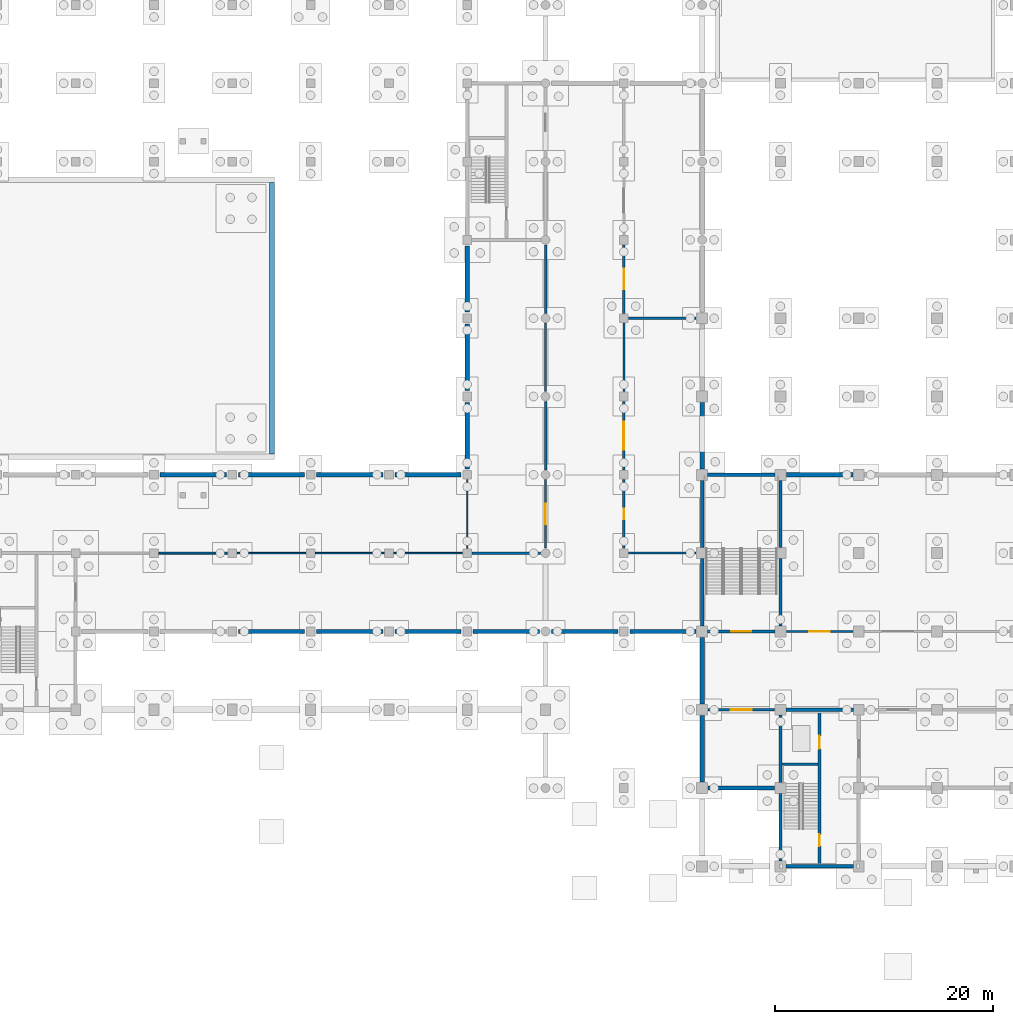
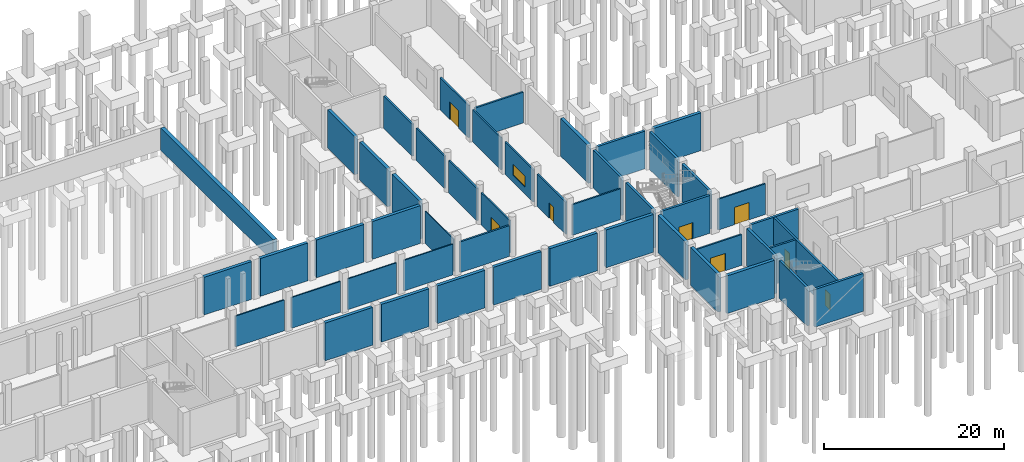
# One storey, part 20 of 35: 49 walls, 8 doors, 1 window, 9 openings.
"""IFC4 building model written with IfcOpenShell, lengths in metres."""

from ifc_helpers import new_model, si_unit, direction, frame, frame_2d, origin, place, context, subcontext, project, spatial, rectangle, extrude, material, layer, layer_set, type_object, element, fill, save


model = new_model("IFC4")

# Units and contexts
model_context = context("Model", 3, precision=1e-05, world=origin(), true_north=direction((0.0, 1.0)))
body_context = subcontext(model_context, "Body", "Model", "MODEL_VIEW")
ifc_project = project(units=[si_unit("LENGTHUNIT", "METRE"), si_unit("AREAUNIT", "SQUARE_METRE"), si_unit("VOLUMEUNIT", "CUBIC_METRE"), si_unit("PLANEANGLEUNIT", "RADIAN"), si_unit("MASSUNIT", "GRAM", prefix="KILO")], contexts=[model_context])

# Site, building, storey
site_placement = place(None, origin())
site = spatial("IfcSite", under=ifc_project, at=site_placement, CompositionType="ELEMENT")
building_placement = place(site_placement, origin())
building = spatial("IfcBuilding", under=site, at=building_placement, Name="Vesperath Aquatics Centre", CompositionType="ELEMENT")
storey_placement = place(building_placement, frame((0.0, 0.0, -5.39990234375)))
storey = spatial("IfcBuildingStorey", under=building, at=storey_placement, Name="B1", CompositionType="ELEMENT", Elevation=-5.39990234375)

# Walls
ifc_material_1 = material(Name="Autoclaved aerated masonry blockwork", Category="masonry")
ifc_layer_1 = layer(ifc_material_1, 0.22998046875)
ifc_layer_set_1 = layer_set([ifc_layer_1], Name="Autoclaved aerated masonry blockwork")
wall_type_1 = type_object("IfcWallType", Name="WL-FW01", PredefinedType="SOLIDWALL", material=ifc_layer_set_1)
wall_1_placement = place(storey_placement, frame((94.050048828125, 28.800048828125, 0.0), z_axis=(0.0, 0.0, 1.0), x_axis=(1.0, 0.0, 0.0)))
element("IfcWall", 1, at=wall_1_placement, inside=storey, type_object=wall_type_1, Name="Interior Partition FW01 B1_DHU_1-S1", PredefinedType="SOLIDWALL", context=body_context, shape_type="SweptSolid", body=[
    extrude(rectangle(XDim=6.300048828125, YDim=0.22998046875, at=frame_2d((3.14990234375, 0.0))), origin(), (0.0, 0.0, 1.0), 4.169921875),
])
wall_2_placement = place(storey_placement, frame((100.800048828125, 36.449951171875, 0.0), z_axis=(0.0, 0.0, 1.0), x_axis=(0.0, 1.0, 0.0)))
element("IfcWall", 2, at=wall_2_placement, inside=storey, type_object=wall_type_1, Name="Interior Partition FW01 B1_DHU_1-E2", PredefinedType="SOLIDWALL", context=body_context, shape_type="SweptSolid", body=[
    extrude(rectangle(XDim=6.300048828125, YDim=0.22998046875, at=frame_2d((3.14990234375, 0.0))), origin(), (0.0, 0.0, 1.0), 4.369873046875),
])
wall_3_placement = place(storey_placement, frame((100.800048828125, 50.85009765625, 0.0), z_axis=(0.0, 0.0, 1.0), x_axis=(0.0, 1.0, 0.0)))
element("IfcWall", 3, at=wall_3_placement, inside=storey, type_object=wall_type_1, Name="Interior Partition FW01 B1_DHU_1-E4", PredefinedType="SOLIDWALL", context=body_context, shape_type="SweptSolid", body=[
    extrude(rectangle(XDim=6.2998046875, YDim=0.22998046875, at=frame_2d((3.14990234375, 0.0))), origin(), (0.0, 0.0, 1.0), 4.369873046875),
])
wall_4_placement = place(storey_placement, frame((108.449951171875, 50.39990234375, 0.0), z_axis=(0.0, 0.0, 1.0), x_axis=(1.0, 0.0, 0.0)))
element("IfcWall", 4, at=wall_4_placement, inside=storey, type_object=wall_type_1, Name="Interior Partition FW01 B1_BMS-N1", PredefinedType="SOLIDWALL", context=body_context, shape_type="SweptSolid", body=[
    extrude(rectangle(XDim=6.199951171875, YDim=0.22998046875, at=frame_2d((3.10009765625, 0.0))), origin(), (0.0, 0.0, 1.0), 4.169921875),
])

# Wall, opening, door
wall_5_placement = place(storey_placement, frame((108.0, 50.85009765625, 0.0), z_axis=(0.0, 0.0, 1.0), x_axis=(0.0, 1.0, 0.0)))
wall_5 = element("IfcWall", 5, at=wall_5_placement, inside=storey, type_object=wall_type_1, Name="Interior Partition FW01 B1_GEN-W1", PredefinedType="SOLIDWALL", context=body_context, shape_type="SweptSolid", body=[
    extrude(rectangle(XDim=6.2998046875, YDim=0.22998046875, at=frame_2d((3.14990234375, 0.0))), origin(), (0.0, 0.0, 1.0), 4.369873046875),
])
opening_1_placement = place(wall_5_placement, frame((2.199951171875, 0.0, 0.0)))
opening_1 = element("IfcOpeningElement", 6, at=opening_1_placement, cuts=wall_5, Name="Opening D05", PredefinedType="OPENING", context=body_context, shape_type="SweptSolid", body=[
    extrude(rectangle(XDim=1.89990234375, YDim=2.35009765625, at=frame_2d((0.949951171875, 1.175048828125))), frame((0.0, 0.1298828125, 0.0), z_axis=(0.0, -1.0, 0.0), x_axis=(1.0, 0.0, 0.0)), (0.0, 0.0, 1.0), 0.259765625),
])
ifc_material_2 = material(Name="Plant equipment double fire door", Category="steel")
door_type_1 = type_object("IfcDoorType", Name="DR-FD05", OperationType="DOUBLE_SWING_LEFT", PredefinedType="DOOR", material=ifc_material_2)
door_1_placement = place(opening_1_placement, frame((1.89990234375, 0.0, 0.0), z_axis=(0.0, 0.0, 1.0), x_axis=(-1.0, 0.0, 0.0)))
door_1 = element("IfcDoor", 7, at=door_1_placement, inside=storey, type_object=door_type_1, Name="Emergency Standby Generator Room Door D05", OperationType="DOUBLE_SWING_LEFT", OverallHeight=2.35009765625, OverallWidth=1.89990234375, PredefinedType="DOOR", context=body_context, shape_type="SweptSolid", body=[
    extrude(rectangle(XDim=1.89990234375, YDim=2.35009765625, at=frame_2d((0.949951171875, 1.175048828125))), frame((0.0, 0.02490234375, 0.0), z_axis=(0.0, -1.0, 0.0), x_axis=(1.0, 0.0, 0.0)), (0.0, 0.0, 1.0), 0.050048828125),
])
fill(opening_1, door_1)

ifc_material_3 = material(Name="Masonry fire compartment wall", Category="masonry")
ifc_layer_2 = layer(ifc_material_3, 0.219970703125)
ifc_layer_set_2 = layer_set([ifc_layer_2], Name="Masonry fire compartment wall")
wall_type_2 = type_object("IfcWallType", Name="WL-FW02", PredefinedType="SOLIDWALL", material=ifc_layer_set_2)
wall_6_placement = place(storey_placement, frame((108.0, 29.25, 0.0), z_axis=(0.0, 0.0, 1.0), x_axis=(0.0, 1.0, 0.0)))
wall_6 = element("IfcWall", 8, at=wall_6_placement, inside=storey, type_object=wall_type_2, Name="Interior Partition FW02 B1_BMS-W1", PredefinedType="SOLIDWALL", context=body_context, shape_type="SweptSolid", body=[
    extrude(rectangle(XDim=6.300048828125, YDim=0.219970703125, at=frame_2d((3.14990234375, 0.0))), origin(), (0.0, 0.0, 1.0), 4.369873046875),
])
opening_2_placement = place(wall_6_placement, frame((2.64990234375, 0.0, 0.0)))
opening_2 = element("IfcOpeningElement", 9, at=opening_2_placement, cuts=wall_6, Name="Opening D06", PredefinedType="OPENING", context=body_context, shape_type="SweptSolid", body=[
    extrude(rectangle(XDim=1.0, YDim=2.10009765625, at=frame_2d((0.5, 1.050048828125))), frame((0.0, 0.125, 0.0), z_axis=(0.0, -1.0, 0.0), x_axis=(1.0, 0.0, 0.0)), (0.0, 0.0, 1.0), 0.249755859375),
])
ifc_material_4 = material(Name="Moisture-resistant HPL accessible toilet door", Category="wood")
door_type_2 = type_object("IfcDoorType", Name="DR-WC01", OperationType="NOTDEFINED", PredefinedType="DOOR", material=ifc_material_4)
door_2_placement = place(opening_2_placement, frame((1.0, 0.0, 0.0), z_axis=(0.0, 0.0, 1.0), x_axis=(-1.0, 0.0, 0.0)))
door_2 = element("IfcDoor", 10, at=door_2_placement, inside=storey, type_object=door_type_2, Name="Building Automation and Metering Control Room Door D06", OperationType="SINGLE_SWING_LEFT", OverallHeight=2.10009765625, OverallWidth=1.0, PredefinedType="DOOR", context=body_context, shape_type="SweptSolid", body=[
    extrude(rectangle(XDim=1.0, YDim=2.10009765625, at=frame_2d((0.5, 1.050048828125))), frame((0.0, 0.02490234375, 0.0), z_axis=(0.0, -1.0, 0.0), x_axis=(1.0, 0.0, 0.0)), (0.0, 0.0, 1.0), 0.050048828125),
])
fill(opening_2, door_2)

# Wall, opening, window
ifc_material_5 = material(Name="Wet-village masonry block wall", Category="masonry")
ifc_layer_3 = layer(ifc_material_5, 0.199951171875)
ifc_layer_set_3 = layer_set([ifc_layer_3], Name="Wet-village masonry block wall")
wall_type_3 = type_object("IfcWallType", Name="WL-FW03", PredefinedType="SOLIDWALL", material=ifc_layer_set_3)
wall_7_placement = place(storey_placement, frame((108.0, 36.449951171875, 0.0), z_axis=(0.0, 0.0, 1.0), x_axis=(0.0, 1.0, 0.0)))
wall_7 = element("IfcWall", 11, at=wall_7_placement, inside=storey, type_object=wall_type_3, Name="Interior Partition FW03 B1_BMS-W2", PredefinedType="SOLIDWALL", context=body_context, shape_type="SweptSolid", body=[
    extrude(rectangle(XDim=6.300048828125, YDim=0.199951171875, at=frame_2d((3.14990234375, 0.0))), origin(), (0.0, 0.0, 1.0), 4.369873046875),
])
opening_3_placement = place(wall_7_placement, frame((1.85009765625, 0.0, 0.949951171875)))
opening_3 = element("IfcOpeningElement", 12, at=opening_3_placement, cuts=wall_7, Name="Opening VW02", PredefinedType="OPENING", context=body_context, shape_type="SweptSolid", body=[
    extrude(rectangle(XDim=2.60009765625, YDim=1.5, at=frame_2d((1.300048828125, 0.75))), frame((0.0, 0.11474609375, 0.0), z_axis=(0.0, -1.0, 0.0), x_axis=(1.0, 0.0, 0.0)), (0.0, 0.0, 1.0), 0.229736328125),
])
ifc_material_6 = material(Name="Acoustic laminated interior viewing glazing", Category="glass")
window_type = type_object("IfcWindowType", Name="WN-IW02", PartitioningType="SINGLE_PANEL", PredefinedType="WINDOW", material=ifc_material_6)
window_placement = place(opening_3_placement, origin())
window = element("IfcWindow", 13, at=window_placement, inside=storey, type_object=window_type, Name="Interior Viewing Window VW02 B1_BMS", OverallHeight=1.5, OverallWidth=2.60009765625, PartitioningType="SINGLE_PANEL", PredefinedType="WINDOW", context=body_context, shape_type="SweptSolid", body=[
    extrude(rectangle(XDim=2.60009765625, YDim=1.5, at=frame_2d((1.300048828125, 0.75))), frame((0.0, 0.030029296875, 0.0), z_axis=(0.0, -1.0, 0.0), x_axis=(1.0, 0.0, 0.0)), (0.0, 0.0, 1.0), 0.06005859375),
])
fill(opening_3, window)

# Wall, opening, door
ifc_material_7 = material(Name="Plant acoustic masonry wall", Category="masonry")
ifc_layer_4 = layer(ifc_material_7, 0.18994140625)
ifc_layer_set_4 = layer_set([ifc_layer_4], Name="Plant acoustic masonry wall")
wall_type_4 = type_object("IfcWallType", Name="WL-FW04", PredefinedType="SOLIDWALL", material=ifc_layer_set_4)
wall_8_placement = place(storey_placement, frame((100.800048828125, 29.25, 0.0), z_axis=(0.0, 0.0, 1.0), x_axis=(0.0, 1.0, 0.0)))
wall_8 = element("IfcWall", 14, at=wall_8_placement, inside=storey, type_object=wall_type_4, Name="Interior Partition FW04 B1_DHU_1-E1", PredefinedType="SOLIDWALL", context=body_context, shape_type="SweptSolid", body=[
    extrude(rectangle(XDim=6.300048828125, YDim=0.18994140625, at=frame_2d((3.14990234375, 0.0))), origin(), (0.0, 0.0, 1.0), 4.369873046875),
])
opening_4_placement = place(wall_8_placement, frame((2.199951171875, 0.0, 0.0)))
opening_4 = element("IfcOpeningElement", 15, at=opening_4_placement, cuts=wall_8, Name="Opening D05", PredefinedType="OPENING", context=body_context, shape_type="SweptSolid", body=[
    extrude(rectangle(XDim=1.89990234375, YDim=2.35009765625, at=frame_2d((0.949951171875, 1.175048828125))), frame((0.0, 0.10986328125, 0.0), z_axis=(0.0, -1.0, 0.0), x_axis=(1.0, 0.0, 0.0)), (0.0, 0.0, 1.0), 0.2197265625),
])
door_3_placement = place(opening_4_placement, origin())
door_3 = element("IfcDoor", 16, at=door_3_placement, inside=storey, type_object=door_type_1, Name="Natatorium Heat-Recovery Dehumidification Plant Door D05", OperationType="DOUBLE_SWING_LEFT", OverallHeight=2.35009765625, OverallWidth=1.89990234375, PredefinedType="DOOR", context=body_context, shape_type="SweptSolid", body=[
    extrude(rectangle(XDim=1.89990234375, YDim=2.35009765625, at=frame_2d((0.949951171875, 1.175048828125))), frame((0.0, 0.02490234375, 0.0), z_axis=(0.0, -1.0, 0.0), x_axis=(1.0, 0.0, 0.0)), (0.0, 0.0, 1.0), 0.050048828125),
])
fill(opening_4, door_3)

# Walls
for number, where, z_axis, x_axis, name in (
    (17, (100.800048828125, 43.64990234375, 0.0), (0.0, 0.0, 1.0), (0.0, 1.0, 0.0), "Interior Partition FW04 B1_DHU_1-E3"),
    (18, (108.0, 43.64990234375, 0.0), (0.0, 0.0, 1.0), (0.0, 1.0, 0.0), "Interior Partition FW04 B1_BMS-W3"),
):
    element("IfcWall", number, at=place(storey_placement, frame(where, z_axis=z_axis, x_axis=x_axis)), inside=storey, type_object=wall_type_4, Name=name, PredefinedType="SOLIDWALL", context=body_context, shape_type="SweptSolid", body=[
        extrude(rectangle(XDim=6.300048828125, YDim=0.18994140625, at=frame_2d((3.14990234375, 0.0))), origin(), (0.0, 0.0, 1.0), 4.369873046875),
    ])

# Wall, opening, door
wall_9_placement = place(storey_placement, frame((115.75, 14.39990234375, 0.0), z_axis=(0.0, 0.0, 1.0), x_axis=(1.0, 0.0, 0.0)))
wall_9 = element("IfcWall", 19, at=wall_9_placement, inside=storey, type_object=wall_type_4, Name="Interior Partition FW04 B1_FILT_1-N1", PredefinedType="SOLIDWALL", context=body_context, shape_type="SweptSolid", body=[
    extrude(rectangle(XDim=6.10009765625, YDim=0.18994140625, at=frame_2d((3.050048828125, 0.0))), origin(), (0.0, 0.0, 1.0), 4.169921875),
])
opening_5_placement = place(wall_9_placement, frame((2.10009765625, 0.0, 0.0)))
opening_5 = element("IfcOpeningElement", 20, at=opening_5_placement, cuts=wall_9, Name="Opening D05", PredefinedType="OPENING", context=body_context, shape_type="SweptSolid", body=[
    extrude(rectangle(XDim=1.89990234375, YDim=2.35009765625, at=frame_2d((0.949951171875, 1.175048828125))), frame((0.0, 0.10986328125, 0.0), z_axis=(0.0, -1.0, 0.0), x_axis=(1.0, 0.0, 0.0)), (0.0, 0.0, 1.0), 0.2197265625),
])
door_4_placement = place(opening_5_placement, frame((1.89990234375, 0.0, 0.0), z_axis=(0.0, 0.0, 1.0), x_axis=(-1.0, 0.0, 0.0)))
door_4 = element("IfcDoor", 21, at=door_4_placement, inside=storey, type_object=door_type_1, Name="Competition Pool Sand Filtration Plant Door D05", OperationType="DOUBLE_SWING_LEFT", OverallHeight=2.35009765625, OverallWidth=1.89990234375, PredefinedType="DOOR", context=body_context, shape_type="SweptSolid", body=[
    extrude(rectangle(XDim=1.89990234375, YDim=2.35009765625, at=frame_2d((0.949951171875, 1.175048828125))), frame((0.0, 0.02490234375, 0.0), z_axis=(0.0, -1.0, 0.0), x_axis=(1.0, 0.0, 0.0)), (0.0, 0.0, 1.0), 0.050048828125),
])
fill(opening_5, door_4)

ifc_material_8 = material(Name="Double-stud acoustic studio partition", Category="gypsum")
ifc_layer_5 = layer(ifc_material_8, 0.18505859375)
ifc_layer_set_5 = layer_set([ifc_layer_5], Name="Double-stud acoustic studio partition")
wall_type_5 = type_object("IfcWallType", Name="WL-IW01", PredefinedType="PARTITIONING", material=ifc_layer_set_5)
wall_10_placement = place(storey_placement, frame((122.949951171875, 21.60009765625, 0.0), z_axis=(0.0, 0.0, 1.0), x_axis=(1.0, 0.0, 0.0)))
wall_10 = element("IfcWall", 22, at=wall_10_placement, inside=storey, type_object=wall_type_5, Name="Interior Partition IW01 B1_CHILL-S1", PredefinedType="PARTITIONING", context=body_context, shape_type="SweptSolid", body=[
    extrude(rectangle(XDim=6.10009765625, YDim=0.18505859375, at=frame_2d((3.050048828125, 0.0))), origin(), (0.0, 0.0, 1.0), 4.169921875),
])
opening_6_placement = place(wall_10_placement, frame((2.10009765625, 0.0, 0.0)))
opening_6 = element("IfcOpeningElement", 23, at=opening_6_placement, cuts=wall_10, Name="Opening D05", PredefinedType="OPENING", context=body_context, shape_type="SweptSolid", body=[
    extrude(rectangle(XDim=1.89990234375, YDim=2.35009765625, at=frame_2d((0.949951171875, 1.175048828125))), frame((0.0, 0.107421875, 0.0), z_axis=(0.0, -1.0, 0.0), x_axis=(1.0, 0.0, 0.0)), (0.0, 0.0, 1.0), 0.21484375),
])
door_5_placement = place(opening_6_placement, origin())
door_5 = element("IfcDoor", 24, at=door_5_placement, inside=storey, type_object=door_type_1, Name="Centrifugal Chiller and Thermal Recovery Hall Door D05", OperationType="DOUBLE_SWING_LEFT", OverallHeight=2.35009765625, OverallWidth=1.89990234375, PredefinedType="DOOR", context=body_context, shape_type="SweptSolid", body=[
    extrude(rectangle(XDim=1.89990234375, YDim=2.35009765625, at=frame_2d((0.949951171875, 1.175048828125))), frame((0.0, 0.02490234375, 0.0), z_axis=(0.0, -1.0, 0.0), x_axis=(1.0, 0.0, 0.0)), (0.0, 0.0, 1.0), 0.050048828125),
])
fill(opening_6, door_5)

# Walls
ifc_material_9 = material(Name="Corridor fire-rated gypsum partition", Category="gypsum")
ifc_layer_6 = layer(ifc_material_9, 0.16796875)
ifc_layer_set_6 = layer_set([ifc_layer_6], Name="Corridor fire-rated gypsum partition")
wall_type_6 = type_object("IfcWallType", Name="WL-IW03", PredefinedType="PARTITIONING", material=ifc_layer_set_6)
wall_11_placement = place(storey_placement, frame((65.25, 28.800048828125, 0.0), z_axis=(0.0, 0.0, 1.0), x_axis=(1.0, 0.0, 0.0)))
element("IfcWall", 25, at=wall_11_placement, inside=storey, type_object=wall_type_6, Name="Interior Partition IW03 B1_BALT_1-S6", PredefinedType="PARTITIONING", context=body_context, shape_type="SweptSolid", body=[
    extrude(rectangle(XDim=6.300048828125, YDim=0.16796875, at=frame_2d((3.14990234375, 0.0))), origin(), (0.0, 0.0, 1.0), 4.169921875),
])
ifc_material_10 = material(Name="Clinic acoustic partition", Category="gypsum")
ifc_layer_7 = layer(ifc_material_10, 0.159912109375)
ifc_layer_set_7 = layer_set([ifc_layer_7], Name="Clinic acoustic partition")
wall_type_7 = type_object("IfcWallType", Name="WL-IW04", PredefinedType="PARTITIONING", material=ifc_layer_set_7)
wall_12_placement = place(storey_placement, frame((72.449951171875, 28.800048828125, 0.0), z_axis=(0.0, 0.0, 1.0), x_axis=(1.0, 0.0, 0.0)))
element("IfcWall", 26, at=wall_12_placement, inside=storey, type_object=wall_type_7, Name="Interior Partition IW04 B1_BALT_1-S7", PredefinedType="PARTITIONING", context=body_context, shape_type="SweptSolid", body=[
    extrude(rectangle(XDim=6.300048828125, YDim=0.159912109375, at=frame_2d((3.14990234375, 0.0))), origin(), (0.0, 0.0, 1.0), 4.169921875),
])
ifc_material_11 = material(Name="Laboratory clean partition", Category="gypsum")
ifc_layer_8 = layer(ifc_material_11, 0.152099609375)
ifc_layer_set_8 = layer_set([ifc_layer_8], Name="Laboratory clean partition")
wall_type_8 = type_object("IfcWallType", Name="WL-IW05", PredefinedType="PARTITIONING", material=ifc_layer_set_8)
wall_13_placement = place(storey_placement, frame((79.64990234375, 28.800048828125, 0.0), z_axis=(0.0, 0.0, 1.0), x_axis=(1.0, 0.0, 0.0)))
element("IfcWall", 27, at=wall_13_placement, inside=storey, type_object=wall_type_8, Name="Interior Partition IW05 B1_BALT_1-S8", PredefinedType="PARTITIONING", context=body_context, shape_type="SweptSolid", body=[
    extrude(rectangle(XDim=6.300048828125, YDim=0.152099609375, at=frame_2d((3.14990234375, 0.0))), origin(), (0.0, 0.0, 1.0), 4.169921875),
])
ifc_material_12 = material(Name="Classroom acoustic partition", Category="gypsum")
ifc_layer_9 = layer(ifc_material_12, 0.14501953125)
ifc_layer_set_9 = layer_set([ifc_layer_9], Name="Classroom acoustic partition")
wall_type_9 = type_object("IfcWallType", Name="WL-IW06", PredefinedType="PARTITIONING", material=ifc_layer_set_9)
wall_14_placement = place(storey_placement, frame((86.85009765625, 28.800048828125, 0.0), z_axis=(0.0, 0.0, 1.0), x_axis=(1.0, 0.0, 0.0)))
element("IfcWall", 28, at=wall_14_placement, inside=storey, type_object=wall_type_9, Name="Interior Partition IW06 B1_BALT_1-S9", PredefinedType="PARTITIONING", context=body_context, shape_type="SweptSolid", body=[
    extrude(rectangle(XDim=6.2998046875, YDim=0.14501953125, at=frame_2d((3.14990234375, 0.0))), origin(), (0.0, 0.0, 1.0), 4.169921875),
])
ifc_material_13 = material(Name="Sanitary plumbing wall", Category="gypsum")
ifc_layer_10 = layer(ifc_material_13, 0.1298828125)
ifc_layer_set_10 = layer_set([ifc_layer_10], Name="Sanitary plumbing wall")
wall_type_10 = type_object("IfcWallType", Name="WL-IW08", PredefinedType="PARTITIONING", material=ifc_layer_set_10)
wall_15_placement = place(storey_placement, frame((93.60009765625, 29.25, 0.0), z_axis=(0.0, 0.0, 1.0), x_axis=(0.0, 1.0, 0.0)))
element("IfcWall", 29, at=wall_15_placement, inside=storey, type_object=wall_type_10, Name="Interior Partition IW08 B1_BALT_1-E1", PredefinedType="PARTITIONING", context=body_context, shape_type="SweptSolid", body=[
    extrude(rectangle(XDim=6.300048828125, YDim=0.1298828125, at=frame_2d((3.14990234375, 0.0))), origin(), (0.0, 0.0, 1.0), 4.369873046875),
])
ifc_material_14 = material(Name="Shaft enclosure fire partition", Category="gypsum")
ifc_layer_11 = layer(ifc_material_14, 0.195068359375)
ifc_layer_set_11 = layer_set([ifc_layer_11], Name="Shaft enclosure fire partition")
wall_type_11 = type_object("IfcWallType", Name="WL-IW14", PredefinedType="PARTITIONING", material=ifc_layer_set_11)
wall_16_placement = place(storey_placement, frame((108.449951171875, 28.800048828125, 0.0), z_axis=(0.0, 0.0, 1.0), x_axis=(1.0, 0.0, 0.0)))
element("IfcWall", 30, at=wall_16_placement, inside=storey, type_object=wall_type_11, Name="Interior Partition IW14 B1_BMS-S1", PredefinedType="PARTITIONING", context=body_context, shape_type="SweptSolid", body=[
    extrude(rectangle(XDim=6.199951171875, YDim=0.195068359375, at=frame_2d((3.10009765625, 0.0))), origin(), (0.0, 0.0, 1.0), 4.169921875),
])
ifc_material_15 = material(Name="Concrete C40", Category="concrete")
ifc_layer_12 = layer(ifc_material_15, 0.47998046875)
ifc_layer_set_12 = layer_set([ifc_layer_12], Name="Concrete C40")
wall_type_12 = type_object("IfcWallType", Name="WL-PW01", PredefinedType="SHEAR", material=ifc_layer_set_12)
wall_17_placement = place(storey_placement, frame((75.64990234375, 37.89990234375, 2.39990234375), z_axis=(0.0, 0.0, 1.0), x_axis=(0.0, 1.0, 0.0)))
element("IfcWall", 31, at=wall_17_placement, inside=storey, type_object=wall_type_12, Name="Competition Swimming Pool Basin Wall PW01-E", PredefinedType="SHEAR", context=body_context, shape_type="SweptSolid", body=[
    extrude(rectangle(XDim=25.0, YDim=0.47998046875, at=frame_2d((12.5, 0.0))), origin(), (0.0, 0.0, 1.0), 3.0),
])
ifc_layer_13 = layer(ifc_material_15, 0.39990234375)
ifc_layer_set_13 = layer_set([ifc_layer_13], Name="Concrete C40")
wall_type_13 = type_object("IfcWallType", Name="WL-RW01", PredefinedType="USERDEFINED", material=ifc_layer_set_13)
wall_18_placement = place(storey_placement, frame((115.75, 7.199951171875, 0.0), z_axis=(0.0, 0.0, 1.0), x_axis=(1.0, 0.0, 0.0)))
element("IfcWall", 32, at=wall_18_placement, inside=storey, type_object=wall_type_13, Name="Basement Retaining Wall RW01-H001", ObjectType="RETAININGWALL", PredefinedType="USERDEFINED", context=body_context, shape_type="SweptSolid", body=[
    extrude(rectangle(XDim=6.10009765625, YDim=0.39990234375, at=frame_2d((3.050048828125, 0.0))), origin(), (0.0, 0.0, 1.0), 5.119873046875),
])
wall_19_placement = place(storey_placement, frame((72.550048828125, 21.60009765625, 0.0), z_axis=(0.0, 0.0, 1.0), x_axis=(1.0, 0.0, 0.0)))
element("IfcWall", 33, at=wall_19_placement, inside=storey, type_object=wall_type_13, Name="Basement Retaining Wall RW01-H014", ObjectType="RETAININGWALL", PredefinedType="USERDEFINED", context=body_context, shape_type="SweptSolid", body=[
    extrude(rectangle(XDim=6.099853515625, YDim=0.39990234375, at=frame_2d((3.0498046875, 0.0))), origin(), (0.0, 0.0, 1.0), 5.119873046875),
])
for number, where, z_axis, x_axis, name in (
    (34, (79.75, 21.60009765625, 0.0), (0.0, 0.0, 1.0), (1.0, 0.0, 0.0), "Basement Retaining Wall RW01-H015"),
    (35, (86.949951171875, 21.60009765625, 0.0), (0.0, 0.0, 1.0), (1.0, 0.0, 0.0), "Basement Retaining Wall RW01-H016"),
    (36, (94.14990234375, 21.60009765625, 0.0), (0.0, 0.0, 1.0), (1.0, 0.0, 0.0), "Basement Retaining Wall RW01-H017"),
):
    element("IfcWall", number, at=place(storey_placement, frame(where, z_axis=z_axis, x_axis=x_axis)), inside=storey, type_object=wall_type_13, Name=name, ObjectType="RETAININGWALL", PredefinedType="USERDEFINED", context=body_context, shape_type="SweptSolid", body=[
        extrude(rectangle(XDim=6.10009765625, YDim=0.39990234375, at=frame_2d((3.050048828125, 0.0))), origin(), (0.0, 0.0, 1.0), 5.119873046875),
    ])
for number, where, z_axis, x_axis, name in (
    (37, (101.35009765625, 21.60009765625, 0.0), (0.0, 0.0, 1.0), (1.0, 0.0, 0.0), "Basement Retaining Wall RW01-H018"),
    (38, (108.550048828125, 21.60009765625, 0.0), (0.0, 0.0, 1.0), (1.0, 0.0, 0.0), "Basement Retaining Wall RW01-H019"),
    (39, (65.35009765625, 36.0, 0.0), (0.0, 0.0, 1.0), (1.0, 0.0, 0.0), "Basement Retaining Wall RW01-H027"),
    (40, (72.550048828125, 36.0, 0.0), (0.0, 0.0, 1.0), (1.0, 0.0, 0.0), "Basement Retaining Wall RW01-H028"),
):
    element("IfcWall", number, at=place(storey_placement, frame(where, z_axis=z_axis, x_axis=x_axis)), inside=storey, type_object=wall_type_13, Name=name, ObjectType="RETAININGWALL", PredefinedType="USERDEFINED", context=body_context, shape_type="SweptSolid", body=[
        extrude(rectangle(XDim=6.099853515625, YDim=0.39990234375, at=frame_2d((3.0498046875, 0.0))), origin(), (0.0, 0.0, 1.0), 5.119873046875),
    ])
for number, where, z_axis, x_axis, name in (
    (41, (79.75, 36.0, 0.0), (0.0, 0.0, 1.0), (1.0, 0.0, 0.0), "Basement Retaining Wall RW01-H029"),
    (42, (86.949951171875, 36.0, 0.0), (0.0, 0.0, 1.0), (1.0, 0.0, 0.0), "Basement Retaining Wall RW01-H030"),
    (43, (122.949951171875, 36.0, 0.0), (0.0, 0.0, 1.0), (1.0, 0.0, 0.0), "Basement Retaining Wall RW01-H031"),
):
    element("IfcWall", number, at=place(storey_placement, frame(where, z_axis=z_axis, x_axis=x_axis)), inside=storey, type_object=wall_type_13, Name=name, ObjectType="RETAININGWALL", PredefinedType="USERDEFINED", context=body_context, shape_type="SweptSolid", body=[
        extrude(rectangle(XDim=6.10009765625, YDim=0.39990234375, at=frame_2d((3.050048828125, 0.0))), origin(), (0.0, 0.0, 1.0), 5.119873046875),
    ])
wall_20_placement = place(storey_placement, frame((93.60009765625, 36.550048828125, 0.0), z_axis=(0.0, 0.0, 1.0), x_axis=(0.0, 1.0, 0.0)))
element("IfcWall", 44, at=wall_20_placement, inside=storey, type_object=wall_type_13, Name="Basement Retaining Wall RW01-V062", ObjectType="RETAININGWALL", PredefinedType="USERDEFINED", context=body_context, shape_type="SweptSolid", body=[
    extrude(rectangle(XDim=6.099853515625, YDim=0.39990234375, at=frame_2d((3.0498046875, 0.0))), origin(), (0.0, 0.0, 1.0), 5.119873046875),
])
for number, where, z_axis, x_axis, name in (
    (45, (93.60009765625, 43.75, 0.0), (0.0, 0.0, 1.0), (0.0, 1.0, 0.0), "Basement Retaining Wall RW01-V063"),
    (46, (93.60009765625, 50.949951171875, 0.0), (0.0, 0.0, 1.0), (0.0, 1.0, 0.0), "Basement Retaining Wall RW01-V064"),
    (47, (115.199951171875, 7.75, 0.0), (0.0, 0.0, 1.0), (0.0, 1.0, 0.0), "Basement Retaining Wall RW01-V065"),
    (48, (115.199951171875, 14.949951171875, 0.0), (0.0, 0.0, 1.0), (0.0, 1.0, 0.0), "Basement Retaining Wall RW01-V066"),
):
    element("IfcWall", number, at=place(storey_placement, frame(where, z_axis=z_axis, x_axis=x_axis)), inside=storey, type_object=wall_type_13, Name=name, ObjectType="RETAININGWALL", PredefinedType="USERDEFINED", context=body_context, shape_type="SweptSolid", body=[
        extrude(rectangle(XDim=6.10009765625, YDim=0.39990234375, at=frame_2d((3.050048828125, 0.0))), origin(), (0.0, 0.0, 1.0), 5.119873046875),
    ])
wall_21_placement = place(storey_placement, frame((115.199951171875, 36.550048828125, 0.0), z_axis=(0.0, 0.0, 1.0), x_axis=(0.0, 1.0, 0.0)))
element("IfcWall", 49, at=wall_21_placement, inside=storey, type_object=wall_type_13, Name="Basement Retaining Wall RW01-V067", ObjectType="RETAININGWALL", PredefinedType="USERDEFINED", context=body_context, shape_type="SweptSolid", body=[
    extrude(rectangle(XDim=6.099853515625, YDim=0.39990234375, at=frame_2d((3.0498046875, 0.0))), origin(), (0.0, 0.0, 1.0), 5.119873046875),
])
ifc_layer_14 = layer(ifc_material_15, 0.300048828125)
ifc_layer_set_14 = layer_set([ifc_layer_14], Name="Concrete C40")
wall_type_14 = type_object("IfcWallType", Name="WL-SW01", PredefinedType="SHEAR", material=ifc_layer_set_14)
for number, where, z_axis, x_axis, name in (
    (50, (122.89990234375, 0.0, 0.0), (0.0, 0.0, 1.0), (1.0, 0.0, 0.0), "Core C5 South Shear Wall SW01 B1"),
    (51, (122.89990234375, 14.39990234375, 0.0), (0.0, 0.0, 1.0), (1.0, 0.0, 0.0), "Core C5 North Shear Wall SW01 B1"),
):
    element("IfcWall", number, at=place(storey_placement, frame(where, z_axis=z_axis, x_axis=x_axis)), inside=storey, type_object=wall_type_14, Name=name, PredefinedType="SHEAR", context=body_context, shape_type="SweptSolid", body=[
        extrude(rectangle(XDim=6.2001953125, YDim=0.300048828125, at=frame_2d((3.10009765625, 0.0))), origin(), (0.0, 0.0, 1.0), 5.119873046875),
    ])
for number, where, z_axis, x_axis, name in (
    (52, (122.39990234375, 0.5, 0.0), (0.0, 0.0, 1.0), (0.0, 1.0, 0.0), "Core C5 West-1 Shear Wall SW01 B1"),
    (53, (122.39990234375, 7.699951171875, 0.0), (0.0, 0.0, 1.0), (0.0, 1.0, 0.0), "Core C5 West-2 Shear Wall SW01 B1"),
):
    element("IfcWall", number, at=place(storey_placement, frame(where, z_axis=z_axis, x_axis=x_axis)), inside=storey, type_object=wall_type_14, Name=name, PredefinedType="SHEAR", context=body_context, shape_type="SweptSolid", body=[
        extrude(rectangle(XDim=6.199951171875, YDim=0.300048828125, at=frame_2d((3.10009765625, 0.0))), origin(), (0.0, 0.0, 1.0), 5.119873046875),
    ])

# Wall, opening, door
wall_22_placement = place(storey_placement, frame((115.699951171875, 21.60009765625, 0.0), z_axis=(0.0, 0.0, 1.0), x_axis=(1.0, 0.0, 0.0)))
wall_22 = element("IfcWall", 54, at=wall_22_placement, inside=storey, type_object=wall_type_14, Name="Core C7 South Shear Wall SW01 B1", PredefinedType="SHEAR", context=body_context, shape_type="SweptSolid", body=[
    extrude(rectangle(XDim=6.199951171875, YDim=0.300048828125, at=frame_2d((3.10009765625, 0.0))), origin(), (0.0, 0.0, 1.0), 5.119873046875),
])
opening_7_placement = place(wall_22_placement, frame((2.199951171875, 0.0, 0.0)))
opening_7 = element("IfcOpeningElement", 55, at=opening_7_placement, cuts=wall_22, Name="Opening D03", PredefinedType="OPENING", context=body_context, shape_type="SweptSolid", body=[
    extrude(rectangle(XDim=1.800048828125, YDim=2.199951171875, at=frame_2d((0.89990234375, 1.10009765625))), frame((0.0, 0.1650390625, 0.0), z_axis=(0.0, -1.0, 0.0), x_axis=(1.0, 0.0, 0.0)), (0.0, 0.0, 1.0), 0.329833984375),
])
ifc_material_16 = material(Name="Corridor smoke-control double fire door", Category="steel")
door_type_3 = type_object("IfcDoorType", Name="DR-FD03", OperationType="DOUBLE_SWING_LEFT", PredefinedType="DOOR", material=ifc_material_16)
door_6_placement = place(opening_7_placement, origin())
door_6 = element("IfcDoor", 56, at=door_6_placement, inside=storey, type_object=door_type_3, Name="Stair ST7 Fire Door D03 B1", OperationType="DOUBLE_SWING_LEFT", OverallHeight=2.199951171875, OverallWidth=1.800048828125, PredefinedType="DOOR", context=body_context, shape_type="SweptSolid", body=[
    extrude(rectangle(XDim=1.800048828125, YDim=2.199951171875, at=frame_2d((0.89990234375, 1.10009765625))), frame((0.0, 0.02490234375, 0.0), z_axis=(0.0, -1.0, 0.0), x_axis=(1.0, 0.0, 0.0)), (0.0, 0.0, 1.0), 0.050048828125),
])
fill(opening_7, door_6)

# Walls
for number, where, z_axis, x_axis, name in (
    (57, (115.699951171875, 36.0, 0.0), (0.0, 0.0, 1.0), (1.0, 0.0, 0.0), "Core C7 North Shear Wall SW01 B1"),
    (58, (115.199951171875, 22.10009765625, 0.0), (0.0, 0.0, 1.0), (0.0, 1.0, 0.0), "Core C7 West-1 Shear Wall SW01 B1"),
    (59, (115.199951171875, 29.300048828125, 0.0), (0.0, 0.0, 1.0), (0.0, 1.0, 0.0), "Core C7 West-2 Shear Wall SW01 B1"),
    (60, (122.39990234375, 22.10009765625, 0.0), (0.0, 0.0, 1.0), (0.0, 1.0, 0.0), "Core C7 East-1 Shear Wall SW01 B1"),
    (61, (122.39990234375, 29.300048828125, 0.0), (0.0, 0.0, 1.0), (0.0, 1.0, 0.0), "Core C7 East-2 Shear Wall SW01 B1"),
):
    element("IfcWall", number, at=place(storey_placement, frame(where, z_axis=z_axis, x_axis=x_axis)), inside=storey, type_object=wall_type_14, Name=name, PredefinedType="SHEAR", context=body_context, shape_type="SweptSolid", body=[
        extrude(rectangle(XDim=6.199951171875, YDim=0.300048828125, at=frame_2d((3.10009765625, 0.0))), origin(), (0.0, 0.0, 1.0), 5.119873046875),
    ])

# Wall, openings, doors
ifc_layer_15 = layer(ifc_material_15, 0.260009765625)
ifc_layer_set_15 = layer_set([ifc_layer_15], Name="Concrete C40")
wall_type_15 = type_object("IfcWallType", Name="WL-SW03", PredefinedType="SHEAR", material=ifc_layer_set_15)
wall_23_placement = place(storey_placement, frame((126.0, 0.199951171875, 0.0), z_axis=(0.0, 0.0, 1.0), x_axis=(0.0, 1.0, 0.0)))
wall_23 = element("IfcWall", 62, at=wall_23_placement, inside=storey, type_object=wall_type_15, Name="Core C5 Spine Shear Wall SW03 B1", PredefinedType="SHEAR", context=body_context, shape_type="SweptSolid", body=[
    extrude(rectangle(XDim=14.0, YDim=0.260009765625, at=frame_2d((7.0, 0.0))), origin(), (0.0, 0.0, 1.0), 5.119873046875),
])
opening_8_placement = place(wall_23_placement, frame((1.64990234375, 0.0, 0.0)))
opening_8 = element("IfcOpeningElement", 63, at=opening_8_placement, cuts=wall_23, Name="Opening D01", PredefinedType="OPENING", context=body_context, shape_type="SweptSolid", body=[
    extrude(rectangle(XDim=1.10009765625, YDim=2.14990234375, at=frame_2d((0.550048828125, 1.074951171875))), frame((0.0, 0.14501953125, 0.0), z_axis=(0.0, -1.0, 0.0), x_axis=(1.0, 0.0, 0.0)), (0.0, 0.0, 1.0), 0.289794921875),
])
opening_9_placement = place(wall_23_placement, frame((10.60009765625, 0.0, 0.0)))
opening_9 = element("IfcOpeningElement", 64, at=opening_9_placement, cuts=wall_23, Name="Opening LD03", PredefinedType="OPENING", context=body_context, shape_type="SweptSolid", body=[
    extrude(rectangle(XDim=1.199951171875, YDim=2.25, at=frame_2d((0.60009765625, 1.125))), frame((0.0, 0.14501953125, 0.0), z_axis=(0.0, -1.0, 0.0), x_axis=(1.0, 0.0, 0.0)), (0.0, 0.0, 1.0), 0.289794921875),
])
ifc_material_17 = material(Name="Steel-faced acoustic fire door", Category="steel")
door_type_4 = type_object("IfcDoorType", Name="DR-FD01", OperationType="NOTDEFINED", PredefinedType="DOOR", material=ifc_material_17)
door_7_placement = place(opening_8_placement, origin())
door_7 = element("IfcDoor", 65, at=door_7_placement, inside=storey, type_object=door_type_4, Name="Stair ST5 Fire Door D01 B1", OperationType="SINGLE_SWING_RIGHT", OverallHeight=2.14990234375, OverallWidth=1.10009765625, PredefinedType="DOOR", context=body_context, shape_type="SweptSolid", body=[
    extrude(rectangle(XDim=1.10009765625, YDim=2.14990234375, at=frame_2d((0.550048828125, 1.074951171875))), frame((0.0, 0.02490234375, 0.0), z_axis=(0.0, -1.0, 0.0), x_axis=(1.0, 0.0, 0.0)), (0.0, 0.0, 1.0), 0.050048828125),
])
fill(opening_8, door_7)
ifc_material_18 = material(Name="Firefighting stainless lift landing door", Category="steel")
door_type_5 = type_object("IfcDoorType", Name="DR-LD03", OperationType="SLIDING_TO_LEFT", PredefinedType="DOOR", material=ifc_material_18)
door_8_placement = place(opening_9_placement, frame((1.199951171875, 0.0, 0.0), z_axis=(0.0, 0.0, 1.0), x_axis=(-1.0, 0.0, 0.0)))
door_8 = element("IfcDoor", 66, at=door_8_placement, inside=storey, type_object=door_type_5, Name="Lift LFT-FF1 Sliding Landing Door LD03 B1", OperationType="SLIDING_TO_LEFT", OverallHeight=2.25, OverallWidth=1.199951171875, PredefinedType="DOOR", context=body_context, shape_type="SweptSolid", body=[
    extrude(rectangle(XDim=1.199951171875, YDim=2.25, at=frame_2d((0.60009765625, 1.125))), frame((0.0, 0.02490234375, 0.0), z_axis=(0.0, -1.0, 0.0), x_axis=(1.0, 0.0, 0.0)), (0.0, 0.0, 1.0), 0.050048828125),
])
fill(opening_9, door_8)

# Wall
ifc_layer_16 = layer(ifc_material_15, 0.25)
ifc_layer_set_16 = layer_set([ifc_layer_16], Name="Concrete C40")
wall_type_16 = type_object("IfcWallType", Name="WL-SW04", PredefinedType="SHEAR", material=ifc_layer_set_16)
wall_24_placement = place(storey_placement, frame((122.56005859375, 9.3798828125, 0.0), z_axis=(0.0, 0.0, 1.0), x_axis=(1.0, 0.0, 0.0)))
element("IfcWall", 67, at=wall_24_placement, inside=storey, type_object=wall_type_16, Name="Core C5 Lift Shaft Wall SW04 B1", PredefinedType="SHEAR", context=body_context, shape_type="SweptSolid", body=[
    extrude(rectangle(XDim=3.300048828125, YDim=0.25, at=frame_2d((1.64990234375, 0.0))), origin(), (0.0, 0.0, 1.0), 5.119873046875),
])

save(model, "model.ifc")
